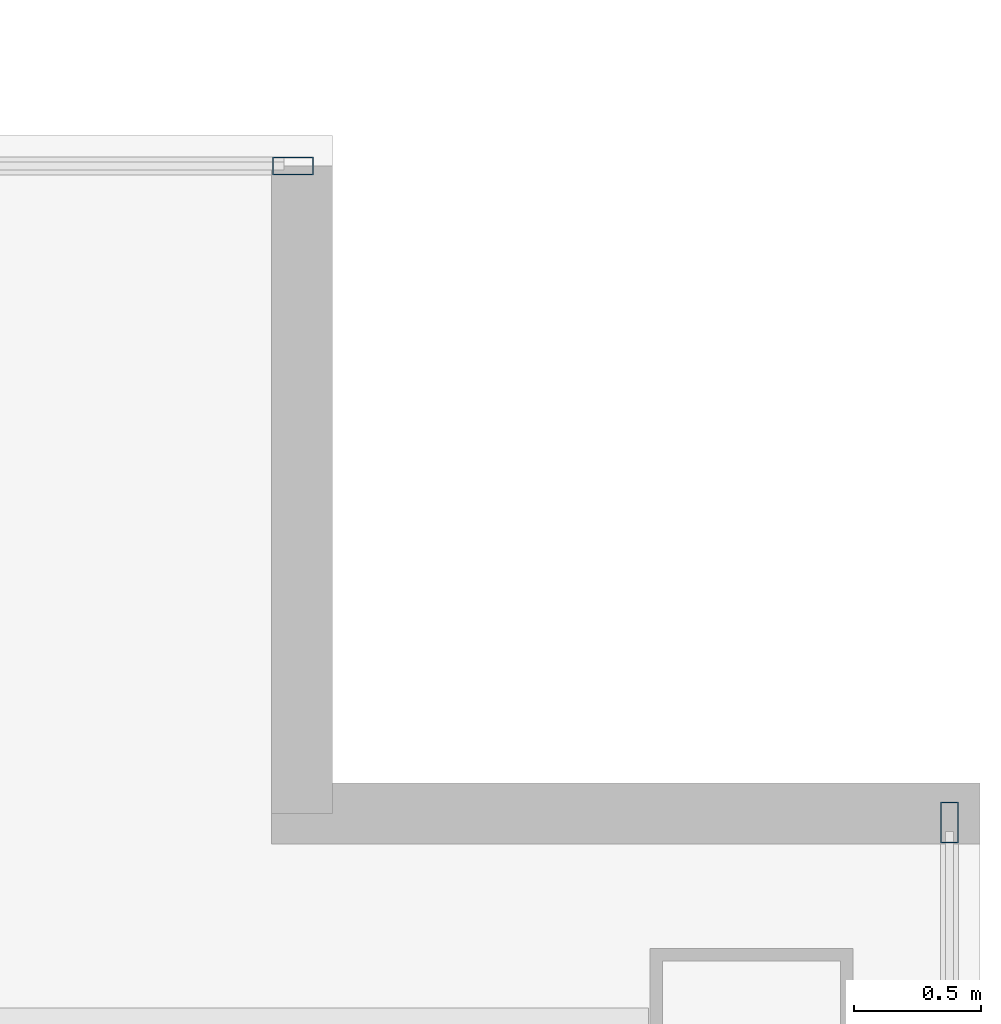
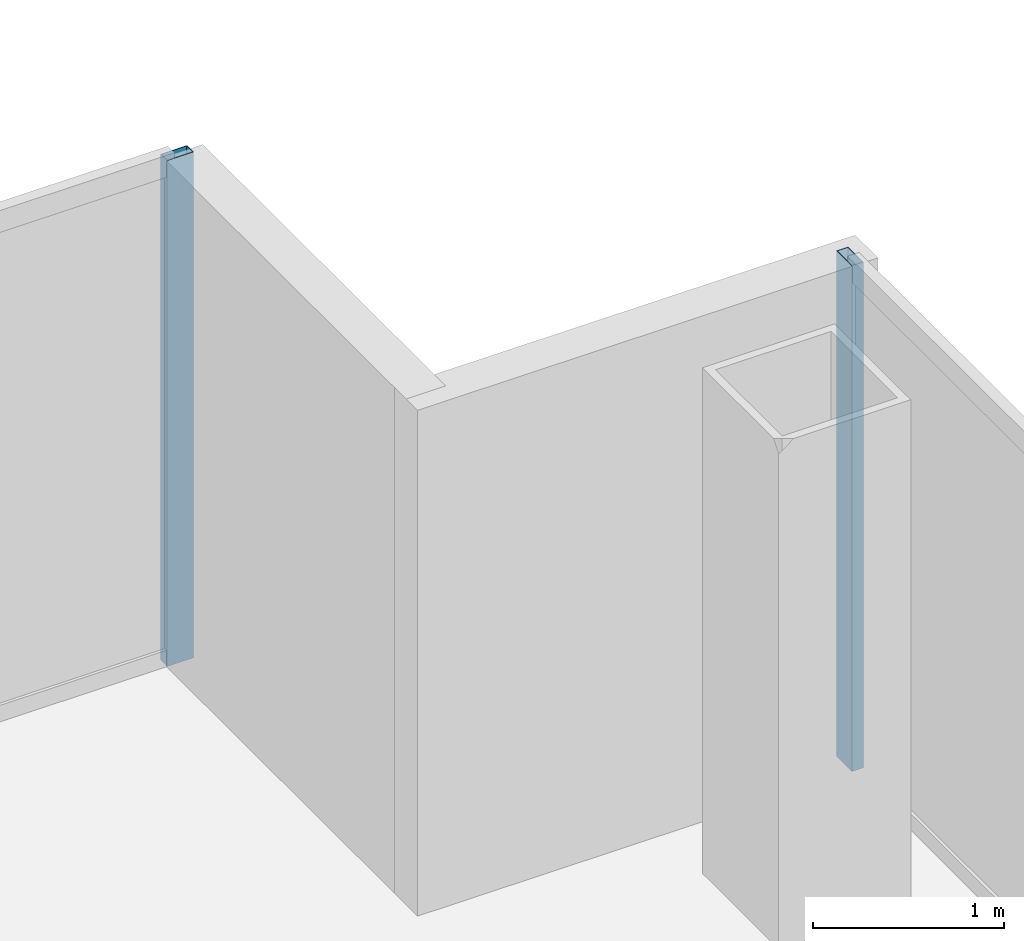
# One storey, part 16 of 23: 2 members, 2 elements without a shape of their own.
"""IFC4 building model written with IfcOpenShell, lengths in metres."""

from ifc_helpers import new_model, si_unit, direction, frame, origin, origin_2d, place, context, subcontext, project, spatial, hollow_rectangle, extrude, material, material_profile, profile_set, type_object, element, aggregate, save


model = new_model("IFC4")

# Units and contexts
model_context = context("Model", 3, precision=1e-05, world=origin(), true_north=direction((0.0, 1.0)))
body_context = subcontext(model_context, "Body", "Model", "MODEL_VIEW")
ifc_project = project(units=[si_unit("LENGTHUNIT", "METRE"), si_unit("AREAUNIT", "SQUARE_METRE"), si_unit("VOLUMEUNIT", "CUBIC_METRE"), si_unit("PLANEANGLEUNIT", "RADIAN"), si_unit("MASSUNIT", "GRAM", prefix="KILO")], contexts=[model_context])

# Site, building, storey
site_placement = place(None, origin())
site = spatial("IfcSite", under=ifc_project, at=site_placement, CompositionType="ELEMENT")
building_placement = place(site_placement, origin())
building = spatial("IfcBuilding", under=site, at=building_placement, Name="Cobrela Telecom Tower", CompositionType="ELEMENT")
storey_placement = place(building_placement, frame((0.0, 0.0, 194.25)))
storey = spatial("IfcBuildingStorey", under=building, at=storey_placement, Name="L49", CompositionType="ELEMENT", Elevation=194.25)

# Curtain wall, member
ifc_material = material(Name="Anodized Bronze Aluminium 6063-T6", Category="aluminium")
curtain_wall_type = type_object("IfcCurtainWallType", Name="CW-SYS-OFF-LO", PredefinedType="USERDEFINED", material=ifc_material)
curtain_wall_1_placement = place(storey_placement, origin())
curtain_wall_1 = element("IfcCurtainWall", 1, at=curtain_wall_1_placement, inside=storey, type_object=curtain_wall_type, Name="L49 Unitised Bronze Curtain Wall 11", ObjectType="UNITISED CURTAIN WALL", PredefinedType="USERDEFINED")
ifc_material_profile = material_profile(ifc_material, hollow_rectangle(XDim=0.070068359375, YDim=0.159912109375, WallThickness=0.00390625, at=origin_2d()), Name="ALU 70x160x4")
ifc_profile_set = profile_set([ifc_material_profile], Name="Anodized Bronze Aluminium 6063-T6")
member_type = type_object("IfcMemberType", Name="CW-SYS-OFF-LO-MUL", PredefinedType="MULLION", material=ifc_profile_set)
member_1_placement = place(storey_placement, frame((41.294921875, 25.080078125, 0.0), z_axis=(0.0, 0.0, 1.0), x_axis=(0.0, 1.0, 0.0)))
member_1 = element("IfcMember", 2, at=member_1_placement, type_object=member_type, Name="CW-OFF-LO mullion 3", PredefinedType="MULLION", context=body_context, shape_type="SweptSolid", body=[
    extrude(hollow_rectangle(XDim=0.070068359375, YDim=0.159912109375, WallThickness=0.00390625, at=origin_2d()), origin(), (0.0, 0.0, 1.0), 3.239990234375),
])
aggregate(curtain_wall_1, [member_1])

curtain_wall_2_placement = place(storey_placement, origin())
curtain_wall_2 = element("IfcCurtainWall", 3, at=curtain_wall_2_placement, inside=storey, type_object=curtain_wall_type, Name="L49 Unitised Bronze Curtain Wall 14", ObjectType="UNITISED CURTAIN WALL", PredefinedType="USERDEFINED")
member_2_placement = place(storey_placement, frame((43.8798828125, 22.4951171875, 0.0), z_axis=(0.0, 0.0, 1.0), x_axis=(1.0, 0.0, 0.0)))
member_2 = element("IfcMember", 4, at=member_2_placement, type_object=member_type, Name="CW-OFF-LO mullion 1", PredefinedType="MULLION", context=body_context, shape_type="SweptSolid", body=[
    extrude(hollow_rectangle(XDim=0.070068359375, YDim=0.159912109375, WallThickness=0.00390625, at=origin_2d()), origin(), (0.0, 0.0, 1.0), 3.239990234375),
])
aggregate(curtain_wall_2, [member_2])

save(model, "model.ifc")
